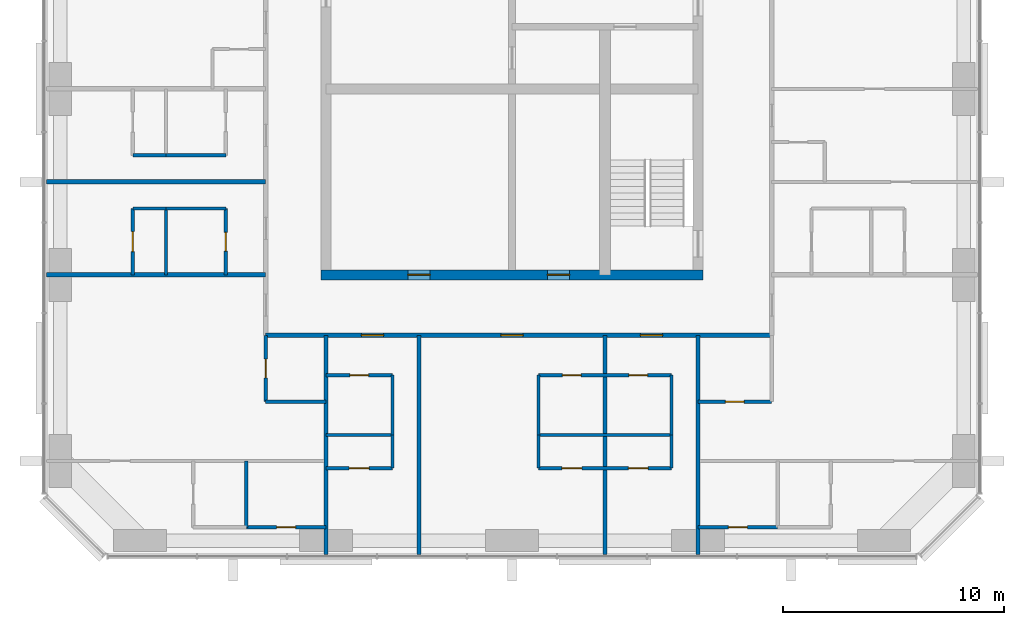
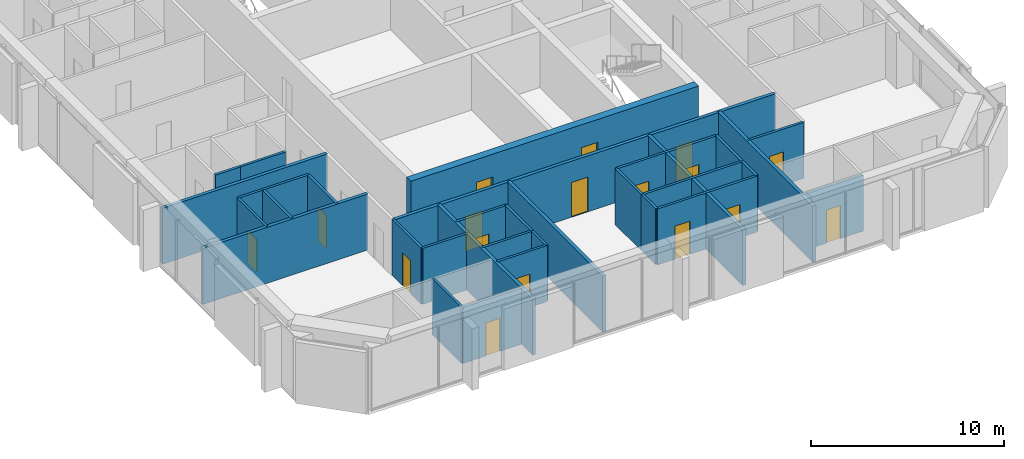
# One storey, part 7 of 12: 33 walls, 17 doors, 17 openings.
"""IFC4 building model written with IfcOpenShell, lengths in metres."""

from ifc_helpers import new_model, si_unit, direction, frame, frame_2d, origin, place, context, subcontext, project, spatial, rectangle, extrude, material, layer, layer_set, type_object, element, fill, save


model = new_model("IFC4")

# Units and contexts
model_context = context("Model", 3, precision=1e-05, world=origin(), true_north=direction((0.0, 1.0)))
body_context = subcontext(model_context, "Body", "Model", "MODEL_VIEW")
ifc_project = project(units=[si_unit("LENGTHUNIT", "METRE"), si_unit("AREAUNIT", "SQUARE_METRE"), si_unit("VOLUMEUNIT", "CUBIC_METRE"), si_unit("PLANEANGLEUNIT", "RADIAN"), si_unit("MASSUNIT", "GRAM", prefix="KILO")], contexts=[model_context])

# Site, building, storey
site_placement = place(None, origin())
site = spatial("IfcSite", under=ifc_project, at=site_placement, CompositionType="ELEMENT")
building_placement = place(site_placement, origin())
building = spatial("IfcBuilding", under=site, at=building_placement, Name="Dunama Terrace Hotel", CompositionType="ELEMENT")
storey_placement = place(building_placement, frame((0.0, 0.0, 272.39990234375)))
storey = spatial("IfcBuildingStorey", under=building, at=storey_placement, Name="L70", CompositionType="ELEMENT", Elevation=272.39990234375)

# Wall, opening, door
ifc_material_1 = material(Name="Gypsum board partition", Category="masonry")
ifc_layer_1 = layer(ifc_material_1, 0.14990234375)
ifc_layer_set_1 = layer_set([ifc_layer_1], Name="Bathroom partition 150")
wall_type_1 = type_object("IfcWallType", Name="Bathroom partition 150", PredefinedType="PARTITIONING", material=ifc_layer_set_1)
wall_1_placement = place(storey_placement, frame((20.675048828125, 16.800048828125, 0.0), z_axis=(0.0, 0.0, 1.0), x_axis=(0.0, 1.0, 0.0)))
wall_1 = element("IfcWall", 1, at=wall_1_placement, inside=storey, type_object=wall_type_1, Name="Bathroom partition 150 L70", PredefinedType="PARTITIONING", context=body_context, shape_type="SweptSolid", body=[
    extrude(rectangle(XDim=3.0, YDim=0.14990234375, at=frame_2d((1.5, 0.0))), origin(), (0.0, 0.0, 1.0), 3.550048828125),
])
opening_1_placement = place(wall_1_placement, frame((1.074951171875, 0.0, 0.0)))
opening_1 = element("IfcOpeningElement", 2, at=opening_1_placement, cuts=wall_1, Name="Opening L68-70-038", PredefinedType="OPENING", context=body_context, shape_type="SweptSolid", body=[
    extrude(rectangle(XDim=0.85009765625, YDim=2.10009765625, at=frame_2d((0.425048828125, 1.050048828125))), frame((0.0, 0.0849609375, 0.0), z_axis=(0.0, -1.0, 0.0), x_axis=(1.0, 0.0, 0.0)), (0.0, 0.0, 1.0), 0.169921875),
])
ifc_material_2 = material(Name="Timber door with steel frame", Category="steel")
door_type_1 = type_object("IfcDoorType", Name="Bathroom door 850", OperationType="SINGLE_SWING_LEFT", PredefinedType="DOOR", material=ifc_material_2)
door_1_placement = place(opening_1_placement, origin())
door_1 = element("IfcDoor", 3, at=door_1_placement, inside=storey, type_object=door_type_1, Name="Door to en-suite bathroom L68-70-038, type D2", OperationType="SINGLE_SWING_LEFT", OverallHeight=2.10009765625, OverallWidth=0.85009765625, PredefinedType="DOOR", context=body_context, shape_type="SweptSolid", body=[
    extrude(rectangle(XDim=0.85009765625, YDim=2.10009765625, at=frame_2d((0.425048828125, 1.050048828125))), frame((0.0, 0.02490234375, 0.0), z_axis=(0.0, -1.0, 0.0), x_axis=(1.0, 0.0, 0.0)), (0.0, 0.0, 1.0), 0.050048828125),
])
fill(opening_1, door_1)

wall_2_placement = place(storey_placement, frame((22.47509765625, 11.074951171875, 0.0), z_axis=(0.0, 0.0, 1.0), x_axis=(0.0, 1.0, 0.0)))
wall_2 = element("IfcWall", 4, at=wall_2_placement, inside=storey, type_object=wall_type_1, Name="Bathroom partition 150 L70", PredefinedType="PARTITIONING", context=body_context, shape_type="SweptSolid", body=[
    extrude(rectangle(XDim=3.0, YDim=0.14990234375, at=frame_2d((1.5, 0.0))), origin(), (0.0, 0.0, 1.0), 3.550048828125),
])
opening_2_placement = place(wall_2_placement, frame((1.074951171875, 0.0, 0.0)))
opening_2 = element("IfcOpeningElement", 5, at=opening_2_placement, cuts=wall_2, Name="Opening L68-70-053", PredefinedType="OPENING", context=body_context, shape_type="SweptSolid", body=[
    extrude(rectangle(XDim=0.85009765625, YDim=2.10009765625, at=frame_2d((0.425048828125, 1.050048828125))), frame((0.0, 0.0849609375, 0.0), z_axis=(0.0, -1.0, 0.0), x_axis=(1.0, 0.0, 0.0)), (0.0, 0.0, 1.0), 0.169921875),
])
door_2_placement = place(opening_2_placement, frame((0.85009765625, 0.0, 0.0), z_axis=(0.0, 0.0, 1.0), x_axis=(-1.0, 0.0, 0.0)))
door_2 = element("IfcDoor", 6, at=door_2_placement, inside=storey, type_object=door_type_1, Name="Door to powder room L68-70-053, type D2", OperationType="SINGLE_SWING_LEFT", OverallHeight=2.10009765625, OverallWidth=0.85009765625, PredefinedType="DOOR", context=body_context, shape_type="SweptSolid", body=[
    extrude(rectangle(XDim=0.85009765625, YDim=2.10009765625, at=frame_2d((0.425048828125, 1.050048828125))), frame((0.0, 0.025146484375, 0.0), z_axis=(0.0, -1.0, 0.0), x_axis=(1.0, 0.0, 0.0)), (0.0, 0.0, 1.0), 0.050048828125),
])
fill(opening_2, door_2)

# Walls
for number, where, z_axis, x_axis, name in (
    (7, (28.199951171875, 9.574951171875, 0.0), (0.0, 0.0, 1.0), (0.0, 1.0, 0.0), "Bathroom partition 150 L70"),
    (8, (34.800048828125, 9.574951171875, 0.0), (0.0, 0.0, 1.0), (0.0, 1.0, 0.0), "Bathroom partition 150 L70"),
    (9, (40.800048828125, 9.574951171875, 0.0), (0.0, 0.0, 1.0), (0.0, 1.0, 0.0), "Bathroom partition 150 L70"),
):
    element("IfcWall", number, at=place(storey_placement, frame(where, z_axis=z_axis, x_axis=x_axis)), inside=storey, type_object=wall_type_1, Name=name, PredefinedType="PARTITIONING", context=body_context, shape_type="SweptSolid", body=[
        extrude(rectangle(XDim=2.699951171875, YDim=0.14990234375, at=frame_2d((1.35009765625, 0.0))), origin(), (0.0, 0.0, 1.0), 3.550048828125),
    ])

# Wall, opening, door
wall_3_placement = place(storey_placement, frame((21.60009765625, 5.39990234375, 0.0), z_axis=(0.0, 0.0, 1.0), x_axis=(1.0, 0.0, 0.0)))
wall_3 = element("IfcWall", 10, at=wall_3_placement, inside=storey, type_object=wall_type_1, Name="Bathroom partition 150 L70", PredefinedType="PARTITIONING", context=body_context, shape_type="SweptSolid", body=[
    extrude(rectangle(XDim=3.599853515625, YDim=0.14990234375, at=frame_2d((1.7998046875, 0.0))), origin(), (0.0, 0.0, 1.0), 3.550048828125),
])
opening_3_placement = place(wall_3_placement, frame((1.375, 0.0, 0.0)))
opening_3 = element("IfcOpeningElement", 11, at=opening_3_placement, cuts=wall_3, Name="Opening L68-70-055", PredefinedType="OPENING", context=body_context, shape_type="SweptSolid", body=[
    extrude(rectangle(XDim=0.85009765625, YDim=2.10009765625, at=frame_2d((0.425048828125, 1.050048828125))), frame((0.0, 0.0849609375, 0.0), z_axis=(0.0, -1.0, 0.0), x_axis=(1.0, 0.0, 0.0)), (0.0, 0.0, 1.0), 0.169921875),
])
door_3_placement = place(opening_3_placement, origin())
door_3 = element("IfcDoor", 12, at=door_3_placement, inside=storey, type_object=door_type_1, Name="Door to en-suite bathroom L68-70-055, type D2", OperationType="SINGLE_SWING_RIGHT", OverallHeight=2.10009765625, OverallWidth=0.85009765625, PredefinedType="DOOR", context=body_context, shape_type="SweptSolid", body=[
    extrude(rectangle(XDim=0.85009765625, YDim=2.10009765625, at=frame_2d((0.425048828125, 1.050048828125))), frame((0.0, 0.02490234375, 0.0), z_axis=(0.0, -1.0, 0.0), x_axis=(1.0, 0.0, 0.0)), (0.0, 0.0, 1.0), 0.050048828125),
])
fill(opening_3, door_3)

wall_4_placement = place(storey_placement, frame((42.0, 5.39990234375, 0.0), z_axis=(0.0, 0.0, 1.0), x_axis=(1.0, 0.0, 0.0)))
wall_4 = element("IfcWall", 13, at=wall_4_placement, inside=storey, type_object=wall_type_1, Name="Bathroom partition 150 L70", PredefinedType="PARTITIONING", context=body_context, shape_type="SweptSolid", body=[
    extrude(rectangle(XDim=3.60009765625, YDim=0.14990234375, at=frame_2d((1.800048828125, 0.0))), origin(), (0.0, 0.0, 1.0), 3.550048828125),
])
opening_4_placement = place(wall_4_placement, frame((1.375, 0.0, 0.0)))
opening_4 = element("IfcOpeningElement", 14, at=opening_4_placement, cuts=wall_4, Name="Opening L68-70-060", PredefinedType="OPENING", context=body_context, shape_type="SweptSolid", body=[
    extrude(rectangle(XDim=0.85009765625, YDim=2.10009765625, at=frame_2d((0.425048828125, 1.050048828125))), frame((0.0, 0.0849609375, 0.0), z_axis=(0.0, -1.0, 0.0), x_axis=(1.0, 0.0, 0.0)), (0.0, 0.0, 1.0), 0.169921875),
])
door_4_placement = place(opening_4_placement, origin())
door_4 = element("IfcDoor", 15, at=door_4_placement, inside=storey, type_object=door_type_1, Name="Door to en-suite bathroom L68-70-060, type D2", OperationType="SINGLE_SWING_LEFT", OverallHeight=2.10009765625, OverallWidth=0.85009765625, PredefinedType="DOOR", context=body_context, shape_type="SweptSolid", body=[
    extrude(rectangle(XDim=0.85009765625, YDim=2.10009765625, at=frame_2d((0.425048828125, 1.050048828125))), frame((0.0, 0.02490234375, 0.0), z_axis=(0.0, -1.0, 0.0), x_axis=(1.0, 0.0, 0.0)), (0.0, 0.0, 1.0), 0.050048828125),
])
fill(opening_4, door_4)

# Wall
wall_5_placement = place(storey_placement, frame((22.47509765625, 11.074951171875, 0.0), z_axis=(0.0, 0.0, 1.0), x_axis=(1.0, 0.0, 0.0)))
element("IfcWall", 16, at=wall_5_placement, inside=storey, type_object=wall_type_1, Name="Bathroom partition 150 L70", PredefinedType="PARTITIONING", context=body_context, shape_type="SweptSolid", body=[
    extrude(rectangle(XDim=2.724853515625, YDim=0.14990234375, at=frame_2d((1.3623046875, 0.0))), origin(), (0.0, 0.0, 1.0), 3.550048828125),
])

# Wall, opening, door
wall_6_placement = place(storey_placement, frame((42.0, 11.074951171875, 0.0), z_axis=(0.0, 0.0, 1.0), x_axis=(1.0, 0.0, 0.0)))
wall_6 = element("IfcWall", 17, at=wall_6_placement, inside=storey, type_object=wall_type_1, Name="Bathroom partition 150 L70", PredefinedType="PARTITIONING", context=body_context, shape_type="SweptSolid", body=[
    extrude(rectangle(XDim=3.324951171875, YDim=0.14990234375, at=frame_2d((1.66259765625, 0.0))), origin(), (0.0, 0.0, 1.0), 3.550048828125),
])
opening_5_placement = place(wall_6_placement, frame((1.238037109375, 0.0, 0.0)))
opening_5 = element("IfcOpeningElement", 18, at=opening_5_placement, cuts=wall_6, Name="Opening L68-70-058", PredefinedType="OPENING", context=body_context, shape_type="SweptSolid", body=[
    extrude(rectangle(XDim=0.85009765625, YDim=2.10009765625, at=frame_2d((0.425048828125, 1.050048828125))), frame((0.0, 0.0849609375, 0.0), z_axis=(0.0, -1.0, 0.0), x_axis=(1.0, 0.0, 0.0)), (0.0, 0.0, 1.0), 0.169921875),
])
door_5_placement = place(opening_5_placement, origin())
door_5 = element("IfcDoor", 19, at=door_5_placement, inside=storey, type_object=door_type_1, Name="Door to powder room L68-70-058, type D2", OperationType="SINGLE_SWING_LEFT", OverallHeight=2.10009765625, OverallWidth=0.85009765625, PredefinedType="DOOR", context=body_context, shape_type="SweptSolid", body=[
    extrude(rectangle(XDim=0.85009765625, YDim=2.10009765625, at=frame_2d((0.425048828125, 1.050048828125))), frame((0.0, 0.02490234375, 0.0), z_axis=(0.0, -1.0, 0.0), x_axis=(1.0, 0.0, 0.0)), (0.0, 0.0, 1.0), 0.050048828125),
])
fill(opening_5, door_5)

wall_7_placement = place(storey_placement, frame((25.199951171875, 12.27490234375, 0.0), z_axis=(0.0, 0.0, 1.0), x_axis=(1.0, 0.0, 0.0)))
wall_7 = element("IfcWall", 20, at=wall_7_placement, inside=storey, type_object=wall_type_1, Name="Bathroom partition 150 L70", PredefinedType="PARTITIONING", context=body_context, shape_type="SweptSolid", body=[
    extrude(rectangle(XDim=3.0, YDim=0.14990234375, at=frame_2d((1.5, 0.0))), origin(), (0.0, 0.0, 1.0), 3.550048828125),
])
opening_6_placement = place(wall_7_placement, frame((1.074951171875, 0.0, 0.0)))
opening_6 = element("IfcOpeningElement", 21, at=opening_6_placement, cuts=wall_7, Name="Opening L68-70-008", PredefinedType="OPENING", context=body_context, shape_type="SweptSolid", body=[
    extrude(rectangle(XDim=0.85009765625, YDim=2.10009765625, at=frame_2d((0.425048828125, 1.050048828125))), frame((0.0, 0.0849609375, 0.0), z_axis=(0.0, -1.0, 0.0), x_axis=(1.0, 0.0, 0.0)), (0.0, 0.0, 1.0), 0.169921875),
])
door_6_placement = place(opening_6_placement, frame((0.85009765625, 0.0, 0.0), z_axis=(0.0, 0.0, 1.0), x_axis=(-1.0, 0.0, 0.0)))
door_6 = element("IfcDoor", 22, at=door_6_placement, inside=storey, type_object=door_type_1, Name="Door to en-suite bathroom L68-70-008, type D2", OperationType="SINGLE_SWING_RIGHT", OverallHeight=2.10009765625, OverallWidth=0.85009765625, PredefinedType="DOOR", context=body_context, shape_type="SweptSolid", body=[
    extrude(rectangle(XDim=0.85009765625, YDim=2.10009765625, at=frame_2d((0.425048828125, 1.050048828125))), frame((0.0, 0.025146484375, 0.0), z_axis=(0.0, -1.0, 0.0), x_axis=(1.0, 0.0, 0.0)), (0.0, 0.0, 1.0), 0.050048828125),
])
fill(opening_6, door_6)

# Wall, openings, doors
wall_8_placement = place(storey_placement, frame((34.800048828125, 12.27490234375, 0.0), z_axis=(0.0, 0.0, 1.0), x_axis=(1.0, 0.0, 0.0)))
wall_8 = element("IfcWall", 23, at=wall_8_placement, inside=storey, type_object=wall_type_1, Name="Bathroom partition 150 L70", PredefinedType="PARTITIONING", context=body_context, shape_type="SweptSolid", body=[
    extrude(rectangle(XDim=6.0, YDim=0.14990234375, at=frame_2d((3.0, 0.0))), origin(), (0.0, 0.0, 1.0), 3.550048828125),
])
opening_7_placement = place(wall_8_placement, frame((1.074951171875, 0.0, 0.0)))
opening_7 = element("IfcOpeningElement", 24, at=opening_7_placement, cuts=wall_8, Name="Opening L68-70-011", PredefinedType="OPENING", context=body_context, shape_type="SweptSolid", body=[
    extrude(rectangle(XDim=0.85009765625, YDim=2.10009765625, at=frame_2d((0.425048828125, 1.050048828125))), frame((0.0, 0.0849609375, 0.0), z_axis=(0.0, -1.0, 0.0), x_axis=(1.0, 0.0, 0.0)), (0.0, 0.0, 1.0), 0.169921875),
])
opening_8_placement = place(wall_8_placement, frame((4.074951171875, 0.0, 0.0)))
opening_8 = element("IfcOpeningElement", 25, at=opening_8_placement, cuts=wall_8, Name="Opening L68-70-014", PredefinedType="OPENING", context=body_context, shape_type="SweptSolid", body=[
    extrude(rectangle(XDim=0.85009765625, YDim=2.10009765625, at=frame_2d((0.425048828125, 1.050048828125))), frame((0.0, 0.0849609375, 0.0), z_axis=(0.0, -1.0, 0.0), x_axis=(1.0, 0.0, 0.0)), (0.0, 0.0, 1.0), 0.169921875),
])
door_7_placement = place(opening_7_placement, frame((0.85009765625, 0.0, 0.0), z_axis=(0.0, 0.0, 1.0), x_axis=(-1.0, 0.0, 0.0)))
door_7 = element("IfcDoor", 26, at=door_7_placement, inside=storey, type_object=door_type_1, Name="Door to en-suite bathroom L68-70-011, type D2", OperationType="SINGLE_SWING_LEFT", OverallHeight=2.10009765625, OverallWidth=0.85009765625, PredefinedType="DOOR", context=body_context, shape_type="SweptSolid", body=[
    extrude(rectangle(XDim=0.85009765625, YDim=2.10009765625, at=frame_2d((0.425048828125, 1.050048828125))), frame((0.0, 0.025146484375, 0.0), z_axis=(0.0, -1.0, 0.0), x_axis=(1.0, 0.0, 0.0)), (0.0, 0.0, 1.0), 0.050048828125),
])
fill(opening_7, door_7)
door_8_placement = place(opening_8_placement, frame((0.85009765625, 0.0, 0.0), z_axis=(0.0, 0.0, 1.0), x_axis=(-1.0, 0.0, 0.0)))
door_8 = element("IfcDoor", 27, at=door_8_placement, inside=storey, type_object=door_type_1, Name="Door to en-suite bathroom L68-70-014, type D2", OperationType="SINGLE_SWING_RIGHT", OverallHeight=2.10009765625, OverallWidth=0.85009765625, PredefinedType="DOOR", context=body_context, shape_type="SweptSolid", body=[
    extrude(rectangle(XDim=0.85009765625, YDim=2.10009765625, at=frame_2d((0.425048828125, 1.050048828125))), frame((0.0, 0.025146484375, 0.0), z_axis=(0.0, -1.0, 0.0), x_axis=(1.0, 0.0, 0.0)), (0.0, 0.0, 1.0), 0.050048828125),
])
fill(opening_8, door_8)

# Walls
for number, where, z_axis, x_axis, name in (
    (28, (17.97509765625, 19.800048828125, 0.0), (0.0, 0.0, 1.0), (1.0, 0.0, 0.0), "Bathroom partition 150 L70"),
    (29, (17.97509765625, 22.199951171875, 0.0), (0.0, 0.0, 1.0), (1.0, 0.0, 0.0), "Bathroom partition 150 L70"),
):
    element("IfcWall", number, at=place(storey_placement, frame(where, z_axis=z_axis, x_axis=x_axis)), inside=storey, type_object=wall_type_1, Name=name, PredefinedType="PARTITIONING", context=body_context, shape_type="SweptSolid", body=[
        extrude(rectangle(XDim=2.699951171875, YDim=0.14990234375, at=frame_2d((1.35009765625, 0.0))), origin(), (0.0, 0.0, 1.0), 3.550048828125),
    ])

# Wall, openings, doors
ifc_material_3 = material(Name="Concrete C50/60", Category="concrete")
ifc_layer_2 = layer(ifc_material_3, 0.449951171875)
ifc_layer_set_2 = layer_set([ifc_layer_2], Name="Core wall 450")
wall_type_2 = type_object("IfcWallType", Name="Core wall 450", PredefinedType="SHEAR", material=ifc_layer_set_2)
wall_9_placement = place(storey_placement, frame((24.97509765625, 16.800048828125, -0.349853515625), z_axis=(0.0, 0.0, 1.0), x_axis=(1.0, 0.0, 0.0)))
wall_9 = element("IfcWall", 30, at=wall_9_placement, inside=storey, type_object=wall_type_2, Name="Core wall south L70", PredefinedType="SHEAR", context=body_context, shape_type="SweptSolid", body=[
    extrude(rectangle(XDim=17.25, YDim=0.449951171875, at=frame_2d((8.625, 0.0))), origin(), (0.0, 0.0, 1.0), 3.89990234375),
])
opening_9_placement = place(wall_9_placement, frame((3.925048828125, 0.0, 0.35009765625)))
opening_9 = element("IfcOpeningElement", 31, at=opening_9_placement, cuts=wall_9, Name="Opening L68-70-078", PredefinedType="OPENING", context=body_context, shape_type="SweptSolid", body=[
    extrude(rectangle(XDim=1.0, YDim=2.10009765625, at=frame_2d((0.5, 1.050048828125))), frame((0.0, 0.23486328125, 0.0), z_axis=(0.0, -1.0, 0.0), x_axis=(1.0, 0.0, 0.0)), (0.0, 0.0, 1.0), 0.469970703125),
])
opening_10_placement = place(wall_9_placement, frame((10.22509765625, 0.0, 0.35009765625)))
opening_10 = element("IfcOpeningElement", 32, at=opening_10_placement, cuts=wall_9, Name="Opening L68-70-079", PredefinedType="OPENING", context=body_context, shape_type="SweptSolid", body=[
    extrude(rectangle(XDim=1.0, YDim=2.10009765625, at=frame_2d((0.5, 1.050048828125))), frame((0.0, 0.23486328125, 0.0), z_axis=(0.0, -1.0, 0.0), x_axis=(1.0, 0.0, 0.0)), (0.0, 0.0, 1.0), 0.469970703125),
])
ifc_material_4 = material(Name="Timber door with steel frame", Category="steel")
door_type_2 = type_object("IfcDoorType", Name="Service door 1000", OperationType="SINGLE_SWING_LEFT", PredefinedType="DOOR", material=ifc_material_4)
door_9_placement = place(opening_9_placement, origin())
door_9 = element("IfcDoor", 33, at=door_9_placement, inside=storey, type_object=door_type_2, Name="Door to corridor air handling room L68-70-078, type D7", OperationType="SINGLE_SWING_LEFT", OverallHeight=2.10009765625, OverallWidth=1.0, PredefinedType="DOOR", context=body_context, shape_type="SweptSolid", body=[
    extrude(rectangle(XDim=1.0, YDim=2.10009765625, at=frame_2d((0.5, 1.050048828125))), frame((0.0, 0.02490234375, 0.0), z_axis=(0.0, -1.0, 0.0), x_axis=(1.0, 0.0, 0.0)), (0.0, 0.0, 1.0), 0.050048828125),
])
fill(opening_9, door_9)
door_10_placement = place(opening_10_placement, origin())
door_10 = element("IfcDoor", 34, at=door_10_placement, inside=storey, type_object=door_type_2, Name="Door to water riser room L68-70-079, type D7", OperationType="SINGLE_SWING_RIGHT", OverallHeight=2.10009765625, OverallWidth=1.0, PredefinedType="DOOR", context=body_context, shape_type="SweptSolid", body=[
    extrude(rectangle(XDim=1.0, YDim=2.10009765625, at=frame_2d((0.5, 1.050048828125))), frame((0.0, 0.02490234375, 0.0), z_axis=(0.0, -1.0, 0.0), x_axis=(1.0, 0.0, 0.0)), (0.0, 0.0, 1.0), 0.050048828125),
])
fill(opening_10, door_10)

ifc_material_5 = material(Name="Concrete blockwork", Category="masonry")
ifc_layer_3 = layer(ifc_material_5, 0.199951171875)
ifc_layer_set_3 = layer_set([ifc_layer_3], Name="Corridor partition 200")
wall_type_3 = type_object("IfcWallType", Name="Corridor partition 200", PredefinedType="PARTITIONING", material=ifc_layer_set_3)
wall_10_placement = place(storey_placement, frame((45.324951171875, 14.074951171875, 0.0), z_axis=(0.0, 0.0, 1.0), x_axis=(-1.0, 0.0, 0.0)))
wall_10 = element("IfcWall", 35, at=wall_10_placement, inside=storey, type_object=wall_type_3, Name="Corridor partition 200 L70", PredefinedType="PARTITIONING", context=body_context, shape_type="SweptSolid", body=[
    extrude(rectangle(XDim=22.849853515625, YDim=0.199951171875, at=frame_2d((11.4248046875, 0.0))), origin(), (0.0, 0.0, 1.0), 3.550048828125),
])
opening_11_placement = place(wall_10_placement, frame((17.52490234375, 0.0, 0.0)))
opening_11 = element("IfcOpeningElement", 36, at=opening_11_placement, cuts=wall_10, Name="Opening L68-70-007", PredefinedType="OPENING", context=body_context, shape_type="SweptSolid", body=[
    extrude(rectangle(XDim=1.0, YDim=2.199951171875, at=frame_2d((0.5, 1.10009765625))), frame((0.0, 0.10986328125, 0.0), z_axis=(0.0, -1.0, 0.0), x_axis=(1.0, 0.0, 0.0)), (0.0, 0.0, 1.0), 0.219970703125),
])
opening_12_placement = place(wall_10_placement, frame((11.22509765625, 0.0, 0.0)))
opening_12 = element("IfcOpeningElement", 37, at=opening_12_placement, cuts=wall_10, Name="Opening L68-70-010", PredefinedType="OPENING", context=body_context, shape_type="SweptSolid", body=[
    extrude(rectangle(XDim=1.0, YDim=2.199951171875, at=frame_2d((0.5, 1.10009765625))), frame((0.0, 0.10986328125, 0.0), z_axis=(0.0, -1.0, 0.0), x_axis=(1.0, 0.0, 0.0)), (0.0, 0.0, 1.0), 0.219970703125),
])
opening_13_placement = place(wall_10_placement, frame((4.925048828125, 0.0, 0.0)))
opening_13 = element("IfcOpeningElement", 38, at=opening_13_placement, cuts=wall_10, Name="Opening L68-70-013", PredefinedType="OPENING", context=body_context, shape_type="SweptSolid", body=[
    extrude(rectangle(XDim=1.0, YDim=2.199951171875, at=frame_2d((0.5, 1.10009765625))), frame((0.0, 0.10986328125, 0.0), z_axis=(0.0, -1.0, 0.0), x_axis=(1.0, 0.0, 0.0)), (0.0, 0.0, 1.0), 0.219970703125),
])
ifc_material_6 = material(Name="Timber door with steel frame", Category="steel")
door_type_3 = type_object("IfcDoorType", Name="Guest room door 1000", OperationType="SINGLE_SWING_LEFT", PredefinedType="DOOR", material=ifc_material_6)
door_11_placement = place(opening_11_placement, origin())
door_11 = element("IfcDoor", 39, at=door_11_placement, inside=storey, type_object=door_type_3, Name="Door to studio suite L68-70-007, type D1", OperationType="SINGLE_SWING_LEFT", OverallHeight=2.199951171875, OverallWidth=1.0, PredefinedType="DOOR", context=body_context, shape_type="SweptSolid", body=[
    extrude(rectangle(XDim=1.0, YDim=2.199951171875, at=frame_2d((0.5, 1.10009765625))), frame((0.0, 0.02490234375, 0.0), z_axis=(0.0, -1.0, 0.0), x_axis=(1.0, 0.0, 0.0)), (0.0, 0.0, 1.0), 0.050048828125),
])
fill(opening_11, door_11)
door_12_placement = place(opening_12_placement, origin())
door_12 = element("IfcDoor", 40, at=door_12_placement, inside=storey, type_object=door_type_3, Name="Door to junior suite L68-70-010, type D1", OperationType="SINGLE_SWING_LEFT", OverallHeight=2.199951171875, OverallWidth=1.0, PredefinedType="DOOR", context=body_context, shape_type="SweptSolid", body=[
    extrude(rectangle(XDim=1.0, YDim=2.199951171875, at=frame_2d((0.5, 1.10009765625))), frame((0.0, 0.02490234375, 0.0), z_axis=(0.0, -1.0, 0.0), x_axis=(1.0, 0.0, 0.0)), (0.0, 0.0, 1.0), 0.050048828125),
])
fill(opening_12, door_12)
door_13_placement = place(opening_13_placement, origin())
door_13 = element("IfcDoor", 41, at=door_13_placement, inside=storey, type_object=door_type_3, Name="Door to studio suite L68-70-013, type D1", OperationType="SINGLE_SWING_LEFT", OverallHeight=2.199951171875, OverallWidth=1.0, PredefinedType="DOOR", context=body_context, shape_type="SweptSolid", body=[
    extrude(rectangle(XDim=1.0, YDim=2.199951171875, at=frame_2d((0.5, 1.10009765625))), frame((0.0, 0.02490234375, 0.0), z_axis=(0.0, -1.0, 0.0), x_axis=(1.0, 0.0, 0.0)), (0.0, 0.0, 1.0), 0.050048828125),
])
fill(opening_13, door_13)

# Walls
ifc_material_7 = material(Name="Concrete blockwork", Category="masonry")
ifc_layer_4 = layer(ifc_material_7, 0.199951171875)
ifc_layer_set_4 = layer_set([ifc_layer_4], Name="Party wall 200")
wall_type_4 = type_object("IfcWallType", Name="Party wall 200", PredefinedType="PARTITIONING", material=ifc_layer_set_4)
for number, where, z_axis, x_axis, name in (
    (42, (25.199951171875, 4.181884765625, 0.0), (0.0, 0.0, 1.0), (0.0, 1.0, 0.0), "Party wall 200 L70"),
    (43, (29.39990234375, 4.181884765625, 0.0), (0.0, 0.0, 1.0), (0.0, 1.0, 0.0), "Party wall 200 L70"),
    (44, (37.800048828125, 4.181884765625, 0.0), (0.0, 0.0, 1.0), (0.0, 1.0, 0.0), "Party wall 200 L70"),
    (45, (42.0, 4.181884765625, 0.0), (0.0, 0.0, 1.0), (0.0, 1.0, 0.0), "Party wall 200 L70"),
    (46, (12.58203125, 16.800048828125, 0.0), (0.0, 0.0, 1.0), (1.0, 0.0, 0.0), "Party wall 200 L70"),
    (47, (12.58203125, 21.0, 0.0), (0.0, 0.0, 1.0), (1.0, 0.0, 0.0), "Party wall 200 L70"),
):
    element("IfcWall", number, at=place(storey_placement, frame(where, z_axis=z_axis, x_axis=x_axis)), inside=storey, type_object=wall_type_4, Name=name, PredefinedType="PARTITIONING", context=body_context, shape_type="SweptSolid", body=[
        extrude(rectangle(XDim=9.89306640625, YDim=0.199951171875, at=frame_2d((4.946533203125, 0.0))), origin(), (0.0, 0.0, 1.0), 3.550048828125),
    ])

# Wall, opening, door
ifc_material_8 = material(Name="Gypsum board partition", Category="masonry")
ifc_layer_5 = layer(ifc_material_8, 0.14990234375)
ifc_layer_set_5 = layer_set([ifc_layer_5], Name="Room partition 150")
wall_type_5 = type_object("IfcWallType", Name="Room partition 150", PredefinedType="PARTITIONING", material=ifc_layer_set_5)
wall_11_placement = place(storey_placement, frame((16.47509765625, 16.800048828125, 0.0), z_axis=(0.0, 0.0, 1.0), x_axis=(0.0, 1.0, 0.0)))
wall_11 = element("IfcWall", 48, at=wall_11_placement, inside=storey, type_object=wall_type_5, Name="Room partition 150 L70", PredefinedType="PARTITIONING", context=body_context, shape_type="SweptSolid", body=[
    extrude(rectangle(XDim=3.0, YDim=0.14990234375, at=frame_2d((1.5, 0.0))), origin(), (0.0, 0.0, 1.0), 3.550048828125),
])
opening_14_placement = place(wall_11_placement, frame((1.050048828125, 0.0, 0.0)))
opening_14 = element("IfcOpeningElement", 49, at=opening_14_placement, cuts=wall_11, Name="Opening L68-70-039", PredefinedType="OPENING", context=body_context, shape_type="SweptSolid", body=[
    extrude(rectangle(XDim=0.89990234375, YDim=2.10009765625, at=frame_2d((0.449951171875, 1.050048828125))), frame((0.0, 0.0849609375, 0.0), z_axis=(0.0, -1.0, 0.0), x_axis=(1.0, 0.0, 0.0)), (0.0, 0.0, 1.0), 0.169921875),
])
ifc_material_9 = material(Name="Timber door with steel frame", Category="steel")
door_type_4 = type_object("IfcDoorType", Name="Suite internal door 900", OperationType="SINGLE_SWING_LEFT", PredefinedType="DOOR", material=ifc_material_9)
door_14_placement = place(opening_14_placement, frame((0.89990234375, 0.0, 0.0), z_axis=(0.0, 0.0, 1.0), x_axis=(-1.0, 0.0, 0.0)))
door_14 = element("IfcDoor", 50, at=door_14_placement, inside=storey, type_object=door_type_4, Name="Door to walk-in wardrobe L68-70-039, type D16", OperationType="SINGLE_SWING_RIGHT", OverallHeight=2.10009765625, OverallWidth=0.89990234375, PredefinedType="DOOR", context=body_context, shape_type="SweptSolid", body=[
    extrude(rectangle(XDim=0.89990234375, YDim=2.10009765625, at=frame_2d((0.449951171875, 1.050048828125))), frame((0.0, 0.025146484375, 0.0), z_axis=(0.0, -1.0, 0.0), x_axis=(1.0, 0.0, 0.0)), (0.0, 0.0, 1.0), 0.050048828125),
])
fill(opening_14, door_14)

# Walls
for number, where, z_axis, x_axis, name in (
    (51, (17.97509765625, 16.800048828125, 0.0), (0.0, 0.0, 1.0), (0.0, 1.0, 0.0), "Room partition 150 L70"),
    (52, (21.60009765625, 5.39990234375, 0.0), (0.0, 0.0, 1.0), (0.0, 1.0, 0.0), "Room partition 150 L70"),
):
    element("IfcWall", number, at=place(storey_placement, frame(where, z_axis=z_axis, x_axis=x_axis)), inside=storey, type_object=wall_type_5, Name=name, PredefinedType="PARTITIONING", context=body_context, shape_type="SweptSolid", body=[
        extrude(rectangle(XDim=3.0, YDim=0.14990234375, at=frame_2d((1.5, 0.0))), origin(), (0.0, 0.0, 1.0), 3.550048828125),
    ])
for number, where, z_axis, x_axis, name in (
    (53, (28.199951171875, 8.074951171875, 0.0), (0.0, 0.0, 1.0), (0.0, 1.0, 0.0), "Room partition 150 L70"),
    (54, (34.800048828125, 8.074951171875, 0.0), (0.0, 0.0, 1.0), (0.0, 1.0, 0.0), "Room partition 150 L70"),
    (55, (40.800048828125, 8.074951171875, 0.0), (0.0, 0.0, 1.0), (0.0, 1.0, 0.0), "Room partition 150 L70"),
):
    element("IfcWall", number, at=place(storey_placement, frame(where, z_axis=z_axis, x_axis=x_axis)), inside=storey, type_object=wall_type_5, Name=name, PredefinedType="PARTITIONING", context=body_context, shape_type="SweptSolid", body=[
        extrude(rectangle(XDim=1.5, YDim=0.14990234375, at=frame_2d((0.75, 0.0))), origin(), (0.0, 0.0, 1.0), 3.550048828125),
    ])

# Wall, opening, door
wall_12_placement = place(storey_placement, frame((25.199951171875, 8.074951171875, 0.0), z_axis=(0.0, 0.0, 1.0), x_axis=(1.0, 0.0, 0.0)))
wall_12 = element("IfcWall", 56, at=wall_12_placement, inside=storey, type_object=wall_type_5, Name="Room partition 150 L70", PredefinedType="PARTITIONING", context=body_context, shape_type="SweptSolid", body=[
    extrude(rectangle(XDim=3.0, YDim=0.14990234375, at=frame_2d((1.5, 0.0))), origin(), (0.0, 0.0, 1.0), 3.550048828125),
])
opening_15_placement = place(wall_12_placement, frame((1.050048828125, 0.0, 0.0)))
opening_15 = element("IfcOpeningElement", 57, at=opening_15_placement, cuts=wall_12, Name="Opening L68-70-009", PredefinedType="OPENING", context=body_context, shape_type="SweptSolid", body=[
    extrude(rectangle(XDim=0.89990234375, YDim=2.10009765625, at=frame_2d((0.449951171875, 1.050048828125))), frame((0.0, 0.0849609375, 0.0), z_axis=(0.0, -1.0, 0.0), x_axis=(1.0, 0.0, 0.0)), (0.0, 0.0, 1.0), 0.169921875),
])
door_15_placement = place(opening_15_placement, origin())
door_15 = element("IfcDoor", 58, at=door_15_placement, inside=storey, type_object=door_type_4, Name="Door to walk-in wardrobe L68-70-009, type D16", OperationType="SINGLE_SWING_LEFT", OverallHeight=2.10009765625, OverallWidth=0.89990234375, PredefinedType="DOOR", context=body_context, shape_type="SweptSolid", body=[
    extrude(rectangle(XDim=0.89990234375, YDim=2.10009765625, at=frame_2d((0.449951171875, 1.050048828125))), frame((0.0, 0.02490234375, 0.0), z_axis=(0.0, -1.0, 0.0), x_axis=(1.0, 0.0, 0.0)), (0.0, 0.0, 1.0), 0.050048828125),
])
fill(opening_15, door_15)

# Wall, openings, doors
wall_13_placement = place(storey_placement, frame((34.800048828125, 8.074951171875, 0.0), z_axis=(0.0, 0.0, 1.0), x_axis=(1.0, 0.0, 0.0)))
wall_13 = element("IfcWall", 59, at=wall_13_placement, inside=storey, type_object=wall_type_5, Name="Room partition 150 L70", PredefinedType="PARTITIONING", context=body_context, shape_type="SweptSolid", body=[
    extrude(rectangle(XDim=6.0, YDim=0.14990234375, at=frame_2d((3.0, 0.0))), origin(), (0.0, 0.0, 1.0), 3.550048828125),
])
opening_16_placement = place(wall_13_placement, frame((1.050048828125, 0.0, 0.0)))
opening_16 = element("IfcOpeningElement", 60, at=opening_16_placement, cuts=wall_13, Name="Opening L68-70-012", PredefinedType="OPENING", context=body_context, shape_type="SweptSolid", body=[
    extrude(rectangle(XDim=0.89990234375, YDim=2.10009765625, at=frame_2d((0.449951171875, 1.050048828125))), frame((0.0, 0.0849609375, 0.0), z_axis=(0.0, -1.0, 0.0), x_axis=(1.0, 0.0, 0.0)), (0.0, 0.0, 1.0), 0.169921875),
])
opening_17_placement = place(wall_13_placement, frame((4.050048828125, 0.0, 0.0)))
opening_17 = element("IfcOpeningElement", 61, at=opening_17_placement, cuts=wall_13, Name="Opening L68-70-015", PredefinedType="OPENING", context=body_context, shape_type="SweptSolid", body=[
    extrude(rectangle(XDim=0.89990234375, YDim=2.10009765625, at=frame_2d((0.449951171875, 1.050048828125))), frame((0.0, 0.0849609375, 0.0), z_axis=(0.0, -1.0, 0.0), x_axis=(1.0, 0.0, 0.0)), (0.0, 0.0, 1.0), 0.169921875),
])
door_16_placement = place(opening_16_placement, origin())
door_16 = element("IfcDoor", 62, at=door_16_placement, inside=storey, type_object=door_type_4, Name="Door to walk-in wardrobe L68-70-012, type D16", OperationType="SINGLE_SWING_LEFT", OverallHeight=2.10009765625, OverallWidth=0.89990234375, PredefinedType="DOOR", context=body_context, shape_type="SweptSolid", body=[
    extrude(rectangle(XDim=0.89990234375, YDim=2.10009765625, at=frame_2d((0.449951171875, 1.050048828125))), frame((0.0, 0.02490234375, 0.0), z_axis=(0.0, -1.0, 0.0), x_axis=(1.0, 0.0, 0.0)), (0.0, 0.0, 1.0), 0.050048828125),
])
fill(opening_16, door_16)
door_17_placement = place(opening_17_placement, origin())
door_17 = element("IfcDoor", 63, at=door_17_placement, inside=storey, type_object=door_type_4, Name="Door to walk-in wardrobe L68-70-015, type D16", OperationType="SINGLE_SWING_LEFT", OverallHeight=2.10009765625, OverallWidth=0.89990234375, PredefinedType="DOOR", context=body_context, shape_type="SweptSolid", body=[
    extrude(rectangle(XDim=0.89990234375, YDim=2.10009765625, at=frame_2d((0.449951171875, 1.050048828125))), frame((0.0, 0.02490234375, 0.0), z_axis=(0.0, -1.0, 0.0), x_axis=(1.0, 0.0, 0.0)), (0.0, 0.0, 1.0), 0.050048828125),
])
fill(opening_17, door_17)

# Walls
wall_14_placement = place(storey_placement, frame((25.199951171875, 9.574951171875, 0.0), z_axis=(0.0, 0.0, 1.0), x_axis=(1.0, 0.0, 0.0)))
element("IfcWall", 64, at=wall_14_placement, inside=storey, type_object=wall_type_5, Name="Room partition 150 L70", PredefinedType="PARTITIONING", context=body_context, shape_type="SweptSolid", body=[
    extrude(rectangle(XDim=3.0, YDim=0.14990234375, at=frame_2d((1.5, 0.0))), origin(), (0.0, 0.0, 1.0), 3.550048828125),
])
wall_15_placement = place(storey_placement, frame((34.800048828125, 9.574951171875, 0.0), z_axis=(0.0, 0.0, 1.0), x_axis=(1.0, 0.0, 0.0)))
element("IfcWall", 65, at=wall_15_placement, inside=storey, type_object=wall_type_5, Name="Room partition 150 L70", PredefinedType="PARTITIONING", context=body_context, shape_type="SweptSolid", body=[
    extrude(rectangle(XDim=6.0, YDim=0.14990234375, at=frame_2d((3.0, 0.0))), origin(), (0.0, 0.0, 1.0), 3.550048828125),
])
for number, where, z_axis, x_axis, name in (
    (66, (16.47509765625, 19.800048828125, 0.0), (0.0, 0.0, 1.0), (1.0, 0.0, 0.0), "Room partition 150 L70"),
    (67, (16.47509765625, 22.199951171875, 0.0), (0.0, 0.0, 1.0), (1.0, 0.0, 0.0), "Room partition 150 L70"),
):
    element("IfcWall", number, at=place(storey_placement, frame(where, z_axis=z_axis, x_axis=x_axis)), inside=storey, type_object=wall_type_5, Name=name, PredefinedType="PARTITIONING", context=body_context, shape_type="SweptSolid", body=[
        extrude(rectangle(XDim=1.5, YDim=0.14990234375, at=frame_2d((0.75, 0.0))), origin(), (0.0, 0.0, 1.0), 3.550048828125),
    ])

save(model, "model.ifc")
